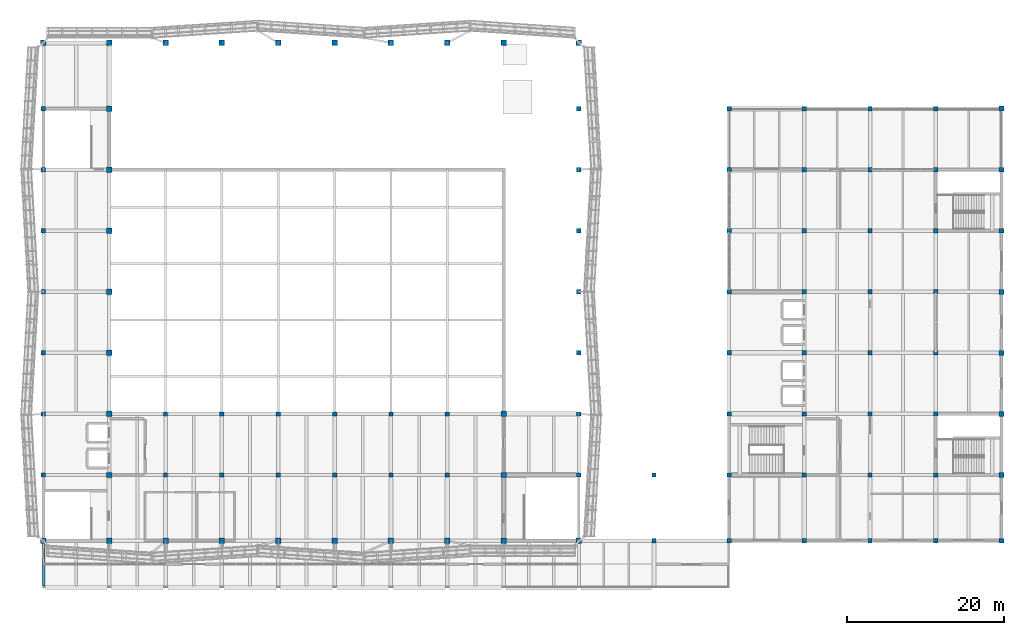
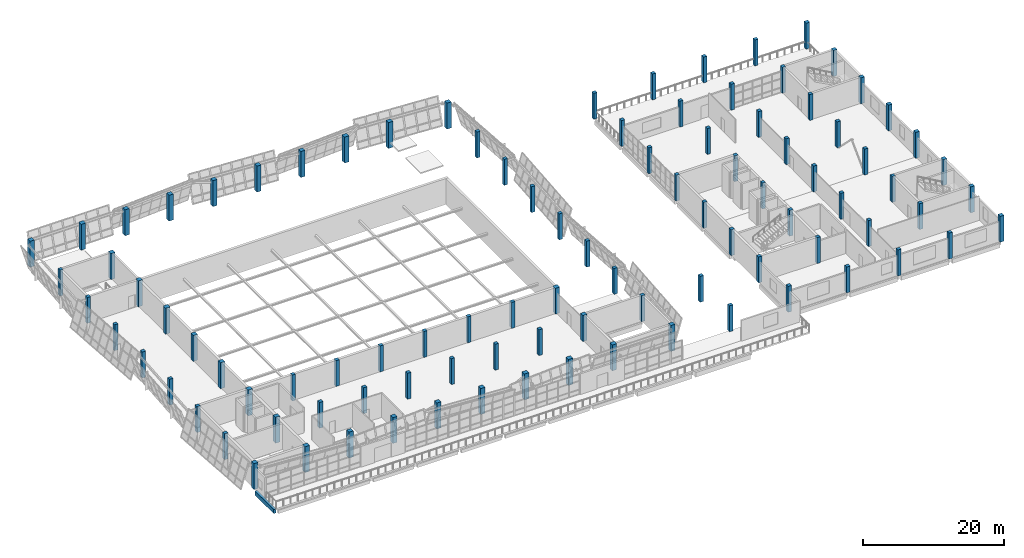
# One storey, part 1 of 67: 97 columns, 1 beam.
"""IFC4 building model written with IfcOpenShell, lengths in metres."""

import ifcopenshell
import ifcopenshell.guid

model = None  # the IFC model being written
_history = None  # IfcOwnerHistory: only IFC2X3 demands one
_inside = {}  # id of a spatial element -> (the spatial element, [elements in it])
_under = {}  # id of a project, library or spatial element -> (it, [spatial elements below it])
_declared = {}  # id of a project -> (the project, [libraries it declares])
_typed = {}  # id of a type object -> (the type object, [elements of that type])
_made_of = {}  # id of a material, layer set ... -> (it, [elements and type objects made of it])


def new_model(schema):
    """Start an empty IFC model of exactly this schema.

    Asked for "IFC4X3", IfcOpenShell would pick the latest addendum, in which some entities
    have other attributes; the version numbers below select the first issue.
    IFC2X3 requires an IfcOwnerHistory on every rooted entity: one is made here for all.
    """
    global model, _history
    if schema == "IFC4X3":
        model = ifcopenshell.file(schema_version=(4, 3, 0, 0))
    else:
        model = ifcopenshell.file(schema=schema)
    _inside.clear()
    _under.clear()
    _declared.clear()
    _typed.clear()
    _made_of.clear()
    _history = None
    if model.schema == "IFC2X3":
        org = make("IfcOrganization", Name="unknown")
        user = make(
            "IfcPersonAndOrganization",
            ThePerson=make("IfcPerson", FamilyName="unknown"),
            TheOrganization=org,
        )
        app = make(
            "IfcApplication",
            ApplicationDeveloper=org,
            Version="unknown",
            ApplicationFullName="unknown",
            ApplicationIdentifier="unknown",
        )
        _history = make(
            "IfcOwnerHistory",
            OwningUser=user,
            OwningApplication=app,
            ChangeAction="ADDED",
            CreationDate=0,
        )
    return model


def make(cls, **values):
    """One entity of the class cls with the attributes given. An attribute that is None is left unset."""
    return model.create_entity(
        cls, **{name: value for name, value in values.items() if value is not None}
    )


def rooted(cls, **values):
    """An entity with a GlobalId (a new one), such as an element, a storey or a relation."""
    return make(cls, GlobalId=ifcopenshell.guid.new(), OwnerHistory=_history, **values)


def si_unit(unit_type, name, prefix=None):
    """IfcSIUnit, for example si_unit("LENGTHUNIT", "METRE", prefix="MILLI")."""
    return make("IfcSIUnit", UnitType=unit_type, Prefix=prefix, Name=name)


def assignment(units):
    """IfcUnitAssignment: the units of a project."""
    return None if units is None else make("IfcUnitAssignment", Units=units)


def point(xyz):
    """IfcCartesianPoint."""
    return None if xyz is None else make("IfcCartesianPoint", Coordinates=xyz)


def direction(xyz):
    """IfcDirection."""
    return None if xyz is None else make("IfcDirection", DirectionRatios=xyz)


def frame(location, z_axis=None, x_axis=None):
    """IfcAxis2Placement3D, a coordinate frame: its origin and axes. An axis left out is left unset."""
    return make(
        "IfcAxis2Placement3D",
        Location=point(location),
        Axis=direction(z_axis),
        RefDirection=direction(x_axis),
    )


def frame_2d(location, x_axis=None):
    """IfcAxis2Placement2D, a coordinate frame in the plane: its origin and x axis."""
    return make(
        "IfcAxis2Placement2D", Location=point(location), RefDirection=direction(x_axis)
    )


def origin():
    """The frame at (0, 0, 0) with its axes left unset."""
    return frame((0.0, 0.0, 0.0))


def origin_2d():
    """The frame at (0, 0) in the plane with its x axis left unset."""
    return frame_2d((0.0, 0.0))


def place(relative_to, where):
    """IfcLocalPlacement: puts the frame where relative to a parent placement (None: the world)."""
    return make(
        "IfcLocalPlacement", PlacementRelTo=relative_to, RelativePlacement=where
    )


def context(
    kind, dimensions, precision=None, world=None, true_north=None, identifier=None
):
    """IfcGeometricRepresentationContext, for example the 3D "Model" context."""
    return make(
        "IfcGeometricRepresentationContext",
        ContextIdentifier=identifier,
        ContextType=kind,
        CoordinateSpaceDimension=dimensions,
        Precision=precision,
        WorldCoordinateSystem=world,
        TrueNorth=true_north,
    )


def subcontext(parent, identifier, kind, view, scale=None):
    """IfcGeometricRepresentationSubContext, for example "Body" below "Model"."""
    return make(
        "IfcGeometricRepresentationSubContext",
        ContextIdentifier=identifier,
        ContextType=kind,
        ParentContext=parent,
        TargetScale=scale,
        TargetView=view,
    )


def project(units=None, contexts=None):
    """IfcProject with its units and contexts."""
    return rooted(
        "IfcProject",
        Name="project",
        RepresentationContexts=contexts,
        UnitsInContext=assignment(units),
    )


def spatial(cls, under=None, at=None, **own):
    """A site, building, storey or space (cls), placed at a placement, below another one or the project."""
    s = rooted(cls, ObjectPlacement=at, **own)
    if under is not None:
        _under.setdefault(under.id(), (under, []))[1].append(s)
    return s


def profile(cls, at=None, kind="AREA", **sizes):
    """A parametric profile (cls). Its sizes go by their IFC names, for example OverallWidth=200.0."""
    return make(cls, ProfileType=kind, Position=at, **sizes)


def rectangle(**sizes):
    """IfcRectangleProfileDef."""
    return profile("IfcRectangleProfileDef", **sizes)


def extrude(swept, where, along, depth):
    """IfcExtrudedAreaSolid: the profile swept, set in the frame where, extruded along a direction by depth."""
    return make(
        "IfcExtrudedAreaSolid",
        SweptArea=swept,
        Position=where,
        ExtrudedDirection=direction(along),
        Depth=depth,
    )


def shape(context_of_items, identifier, shape_type, items):
    """IfcShapeRepresentation: the items that make up one representation, for example the "Body"."""
    return make(
        "IfcShapeRepresentation",
        ContextOfItems=context_of_items,
        RepresentationIdentifier=identifier,
        RepresentationType=shape_type,
        Items=items,
    )


def material(Name=None, Category=None):
    """IfcMaterial."""
    return make("IfcMaterial", Name=Name, Category=Category)


def material_profile(
    of_material, cross_section, Name=None, Category=None, Priority=None
):
    """IfcMaterialProfile: a cross section and its material."""
    return make(
        "IfcMaterialProfile",
        Name=Name,
        Material=of_material,
        Profile=cross_section,
        Priority=Priority,
        Category=Category,
    )


def profile_set(profiles, Name=None, composite=None):
    """IfcMaterialProfileSet."""
    return make(
        "IfcMaterialProfileSet",
        Name=Name,
        MaterialProfiles=profiles,
        CompositeProfile=composite,
    )


def made_of(thing, what):
    """Note that an element or type object is made of a material, layer set ...; save() writes the relation."""
    if what is not None:
        _made_of.setdefault(what.id(), (what, []))[1].append(thing)
    return thing


def type_object(cls, material=None, **own):
    """A type object (cls), such as IfcWallType, which elements share."""
    return made_of(rooted(cls, **own), material)


def element(
    cls,
    number,
    at=None,
    inside=None,
    cuts=None,
    type_object=None,
    material=None,
    context=None,
    identifier="Body",
    shape_type=None,
    held_by="IfcProductDefinitionShape",
    body=None,
    shapes=None,
    **own,
):
    """One element of the class cls, such as IfcWall. Its Tag is "e" and its number.

    at: its placement. inside: the storey or other place that contains it. cuts: it is an
    opening in that element (IfcRelVoidsElement). A single representation is given by context,
    identifier, shape_type and body (its items); several are given by shapes. held_by: the class
    of the entity that holds the representations. save() writes the other relations.
    """
    e = rooted(cls, Tag="e%d" % number, ObjectPlacement=at, **own)
    if body is not None:
        shapes = [shape(context, identifier, shape_type, body)]
    if shapes is not None:
        e.Representation = make(held_by, Representations=shapes)
    if inside is not None:
        _inside.setdefault(inside.id(), (inside, []))[1].append(e)
    if cuts is not None:
        rooted(
            "IfcRelVoidsElement", RelatingBuildingElement=cuts, RelatedOpeningElement=e
        )
    if type_object is not None:
        _typed.setdefault(type_object.id(), (type_object, []))[1].append(e)
    return made_of(e, material)


def aggregate(whole, parts):
    """IfcRelAggregates: a whole, such as a stair, and the parts it consists of."""
    return rooted("IfcRelAggregates", RelatingObject=whole, RelatedObjects=parts)


def save(model, path):
    """Write the relations noted so far, then the file.

    IfcRelAggregates (storeys below a building ...), IfcRelContainedInSpatialStructure (elements
    in a storey), IfcRelDefinesByType, IfcRelAssociatesMaterial and IfcRelDeclares: one each for
    every whole, place, type object, material and project.
    """
    for whole, parts in _under.values():
        aggregate(whole, parts)
    for where, things in _inside.values():
        rooted(
            "IfcRelContainedInSpatialStructure",
            RelatedElements=things,
            RelatingStructure=where,
        )
    for kind, things in _typed.values():
        rooted("IfcRelDefinesByType", RelatedObjects=things, RelatingType=kind)
    for what, things in _made_of.values():
        rooted("IfcRelAssociatesMaterial", RelatedObjects=things, RelatingMaterial=what)
    for by, libraries in _declared.values():
        rooted("IfcRelDeclares", RelatingContext=by, RelatedDefinitions=libraries)
    model.write(path)


model = new_model("IFC4")

# Units and contexts
model_context = context("Model", 3, precision=1e-05, world=origin(), true_north=direction((0.0, 1.0)))
body_context = subcontext(model_context, "Body", "Model", "MODEL_VIEW")
ifc_project = project(units=[si_unit("LENGTHUNIT", "METRE"), si_unit("AREAUNIT", "SQUARE_METRE"), si_unit("VOLUMEUNIT", "CUBIC_METRE"), si_unit("PLANEANGLEUNIT", "RADIAN"), si_unit("MASSUNIT", "GRAM", prefix="KILO")], contexts=[model_context])

# Site, building, storey
site_placement = place(None, origin())
site = spatial("IfcSite", under=ifc_project, at=site_placement, CompositionType="ELEMENT")
building_placement = place(site_placement, origin())
building = spatial("IfcBuilding", under=site, at=building_placement, Name="Pellamere Symphony Hall", CompositionType="ELEMENT")
storey_placement = place(building_placement, frame((0.0, 0.0, 19.5)))
storey = spatial("IfcBuildingStorey", under=building, at=storey_placement, Name="L04", CompositionType="ELEMENT", Elevation=19.5)

# Columns
ifc_material_1 = material(Name="Concrete 40 MPa", Category="concrete")
ifc_material_profile_1 = material_profile(ifc_material_1, rectangle(XDim=0.699951171875, YDim=0.699951171875, at=origin_2d()), Name="RC 700x700")
ifc_profile_set_1 = profile_set([ifc_material_profile_1], Name="Concrete 40 MPa")
column_type_1 = type_object("IfcColumnType", Name="RC Column CC-06 700x700", PredefinedType="COLUMN", material=ifc_profile_set_1)
for number, where, z_axis, x_axis, name in (
    (1, (50.39990234375, 30.0, 0.0), (0.0, 0.0, 1.0), (1.0, 0.0, 0.0), "Column C-7E (L04)"),
    (2, (50.39990234375, 93.60009765625, 0.0), (0.0, 0.0, 1.0), (1.0, 0.0, 0.0), "Column C-7M (L04)"),
    (3, (58.800048828125, 30.0, 0.0), (0.0, 0.0, 1.0), (1.0, 0.0, 0.0), "Column C-8E (L04)"),
    (4, (58.800048828125, 38.39990234375, 0.0), (0.0, 0.0, 1.0), (1.0, 0.0, 0.0), "Column C-8F (L04)"),
    (5, (58.800048828125, 46.199951171875, 0.0), (0.0, 0.0, 1.0), (1.0, 0.0, 0.0), "Column C-8G (L04)"),
    (6, (58.800048828125, 54.0, 0.0), (0.0, 0.0, 1.0), (1.0, 0.0, 0.0), "Column C-8H (L04)"),
    (7, (58.800048828125, 61.800048828125, 0.0), (0.0, 0.0, 1.0), (1.0, 0.0, 0.0), "Column C-8I (L04)"),
    (8, (58.800048828125, 69.60009765625, 0.0), (0.0, 0.0, 1.0), (1.0, 0.0, 0.0), "Column C-8J (L04)"),
    (9, (58.800048828125, 77.39990234375, 0.0), (0.0, 0.0, 1.0), (1.0, 0.0, 0.0), "Column C-8K (L04)"),
    (10, (58.800048828125, 85.199951171875, 0.0), (0.0, 0.0, 1.0), (1.0, 0.0, 0.0), "Column C-8L (L04)"),
    (11, (58.800048828125, 93.60009765625, 0.0), (0.0, 0.0, 1.0), (1.0, 0.0, 0.0), "Column C-8M (L04)"),
    (12, (66.0, 30.0, 0.0), (0.0, 0.0, 1.0), (1.0, 0.0, 0.0), "Column C-9E (L04)"),
    (13, (66.0, 93.60009765625, 0.0), (0.0, 0.0, 1.0), (1.0, 0.0, 0.0), "Column C-9M (L04)"),
    (14, (73.199951171875, 30.0, 0.0), (0.0, 0.0, 1.0), (1.0, 0.0, 0.0), "Column C-10E (L04)"),
    (15, (73.199951171875, 93.60009765625, 0.0), (0.0, 0.0, 1.0), (1.0, 0.0, 0.0), "Column C-10M (L04)"),
    (16, (80.39990234375, 30.0, 0.0), (0.0, 0.0, 1.0), (1.0, 0.0, 0.0), "Column C-11E (L04)"),
    (17, (80.39990234375, 93.60009765625, 0.0), (0.0, 0.0, 1.0), (1.0, 0.0, 0.0), "Column C-11M (L04)"),
    (18, (87.60009765625, 30.0, 0.0), (0.0, 0.0, 1.0), (1.0, 0.0, 0.0), "Column C-12E (L04)"),
    (19, (87.60009765625, 93.60009765625, 0.0), (0.0, 0.0, 1.0), (1.0, 0.0, 0.0), "Column C-12M (L04)"),
    (20, (94.800048828125, 30.0, 0.0), (0.0, 0.0, 1.0), (1.0, 0.0, 0.0), "Column C-13E (L04)"),
    (21, (94.800048828125, 93.60009765625, 0.0), (0.0, 0.0, 1.0), (1.0, 0.0, 0.0), "Column C-13M (L04)"),
    (22, (102.0, 30.0, 0.0), (0.0, 0.0, 1.0), (1.0, 0.0, 0.0), "Column C-14E (L04)"),
    (23, (102.0, 93.60009765625, 0.0), (0.0, 0.0, 1.0), (1.0, 0.0, 0.0), "Column C-14M (L04)"),
    (24, (109.199951171875, 30.0, 0.0), (0.0, 0.0, 1.0), (1.0, 0.0, 0.0), "Column C-15E (L04)"),
    (25, (109.199951171875, 38.39990234375, 0.0), (0.0, 0.0, 1.0), (1.0, 0.0, 0.0), "Column C-15F (L04)"),
    (26, (109.199951171875, 46.199951171875, 0.0), (0.0, 0.0, 1.0), (1.0, 0.0, 0.0), "Column C-15G (L04)"),
    (27, (109.199951171875, 93.60009765625, 0.0), (0.0, 0.0, 1.0), (1.0, 0.0, 0.0), "Column C-15M (L04)"),
    (28, (118.800048828125, 30.0, 0.0), (0.0, 0.0, 1.0), (1.0, 0.0, 0.0), "Column C-16E (L04)"),
    (29, (118.800048828125, 93.60009765625, 0.0), (0.0, 0.0, 1.0), (1.0, 0.0, 0.0), "Column C-16M (L04)"),
):
    element("IfcColumn", number, at=place(storey_placement, frame(where, z_axis=z_axis, x_axis=x_axis)), inside=storey, type_object=column_type_1, Name=name, PredefinedType="COLUMN", context=body_context, shape_type="SweptSolid", body=[
        extrude(rectangle(XDim=0.699951171875, YDim=0.699951171875, at=origin_2d()), origin(), (0.0, 0.0, 1.0), 4.5),
    ])
ifc_material_2 = material(Name="Concrete 35 MPa", Category="concrete")
ifc_material_profile_2 = material_profile(ifc_material_2, rectangle(XDim=0.550048828125, YDim=0.550048828125, at=origin_2d()), Name="RC 550x550")
ifc_profile_set_2 = profile_set([ifc_material_profile_2], Name="Concrete 35 MPa")
column_type_2 = type_object("IfcColumnType", Name="RC Column CC-09 550x550", PredefinedType="COLUMN", material=ifc_profile_set_2)
for number, where, z_axis, x_axis, name in (
    (30, (50.39990234375, 38.39990234375, 0.0), (0.0, 0.0, 1.0), (1.0, 0.0, 0.0), "Column C-7F (L04)"),
    (31, (50.39990234375, 46.199951171875, 0.0), (0.0, 0.0, 1.0), (1.0, 0.0, 0.0), "Column C-7G (L04)"),
    (32, (50.39990234375, 54.0, 0.0), (0.0, 0.0, 1.0), (1.0, 0.0, 0.0), "Column C-7H (L04)"),
    (33, (50.39990234375, 61.800048828125, 0.0), (0.0, 0.0, 1.0), (1.0, 0.0, 0.0), "Column C-7I (L04)"),
    (34, (50.39990234375, 69.60009765625, 0.0), (0.0, 0.0, 1.0), (1.0, 0.0, 0.0), "Column C-7J (L04)"),
    (35, (50.39990234375, 77.39990234375, 0.0), (0.0, 0.0, 1.0), (1.0, 0.0, 0.0), "Column C-7K (L04)"),
    (36, (50.39990234375, 85.199951171875, 0.0), (0.0, 0.0, 1.0), (1.0, 0.0, 0.0), "Column C-7L (L04)"),
    (37, (66.0, 38.39990234375, 0.0), (0.0, 0.0, 1.0), (1.0, 0.0, 0.0), "Column C-9F (L04)"),
    (38, (66.0, 46.199951171875, 0.0), (0.0, 0.0, 1.0), (1.0, 0.0, 0.0), "Column C-9G (L04)"),
    (39, (73.199951171875, 38.39990234375, 0.0), (0.0, 0.0, 1.0), (1.0, 0.0, 0.0), "Column C-10F (L04)"),
    (40, (73.199951171875, 46.199951171875, 0.0), (0.0, 0.0, 1.0), (1.0, 0.0, 0.0), "Column C-10G (L04)"),
    (41, (80.39990234375, 38.39990234375, 0.0), (0.0, 0.0, 1.0), (1.0, 0.0, 0.0), "Column C-11F (L04)"),
    (42, (80.39990234375, 46.199951171875, 0.0), (0.0, 0.0, 1.0), (1.0, 0.0, 0.0), "Column C-11G (L04)"),
    (43, (87.60009765625, 38.39990234375, 0.0), (0.0, 0.0, 1.0), (1.0, 0.0, 0.0), "Column C-12F (L04)"),
    (44, (87.60009765625, 46.199951171875, 0.0), (0.0, 0.0, 1.0), (1.0, 0.0, 0.0), "Column C-12G (L04)"),
    (45, (94.800048828125, 38.39990234375, 0.0), (0.0, 0.0, 1.0), (1.0, 0.0, 0.0), "Column C-13F (L04)"),
    (46, (94.800048828125, 46.199951171875, 0.0), (0.0, 0.0, 1.0), (1.0, 0.0, 0.0), "Column C-13G (L04)"),
    (47, (102.0, 38.39990234375, 0.0), (0.0, 0.0, 1.0), (1.0, 0.0, 0.0), "Column C-14F (L04)"),
    (48, (102.0, 46.199951171875, 0.0), (0.0, 0.0, 1.0), (1.0, 0.0, 0.0), "Column C-14G (L04)"),
    (49, (118.800048828125, 38.39990234375, 0.0), (0.0, 0.0, 1.0), (1.0, 0.0, 0.0), "Column C-16F (L04)"),
    (50, (118.800048828125, 46.199951171875, 0.0), (0.0, 0.0, 1.0), (1.0, 0.0, 0.0), "Column C-16G (L04)"),
    (51, (118.800048828125, 54.0, 0.0), (0.0, 0.0, 1.0), (1.0, 0.0, 0.0), "Column C-16H (L04)"),
    (52, (118.800048828125, 61.800048828125, 0.0), (0.0, 0.0, 1.0), (1.0, 0.0, 0.0), "Column C-16I (L04)"),
    (53, (118.800048828125, 69.60009765625, 0.0), (0.0, 0.0, 1.0), (1.0, 0.0, 0.0), "Column C-16J (L04)"),
    (54, (118.800048828125, 77.39990234375, 0.0), (0.0, 0.0, 1.0), (1.0, 0.0, 0.0), "Column C-16K (L04)"),
    (55, (118.800048828125, 85.199951171875, 0.0), (0.0, 0.0, 1.0), (1.0, 0.0, 0.0), "Column C-16L (L04)"),
    (56, (128.39990234375, 30.0, 0.0), (0.0, 0.0, 1.0), (1.0, 0.0, 0.0), "Column C-17E (L04)"),
    (57, (128.39990234375, 38.39990234375, 0.0), (0.0, 0.0, 1.0), (1.0, 0.0, 0.0), "Column C-17F (L04)"),
    (58, (138.0, 30.0, 0.0), (0.0, 0.0, 1.0), (1.0, 0.0, 0.0), "Column C-18E (L04)"),
    (59, (138.0, 38.39990234375, 0.0), (0.0, 0.0, 1.0), (1.0, 0.0, 0.0), "Column C-18F (L04)"),
    (60, (138.0, 46.199951171875, 0.0), (0.0, 0.0, 1.0), (1.0, 0.0, 0.0), "Column C-18G (L04)"),
    (61, (138.0, 54.0, 0.0), (0.0, 0.0, 1.0), (1.0, 0.0, 0.0), "Column C-18H (L04)"),
    (62, (138.0, 61.800048828125, 0.0), (0.0, 0.0, 1.0), (1.0, 0.0, 0.0), "Column C-18I (L04)"),
    (63, (138.0, 69.60009765625, 0.0), (0.0, 0.0, 1.0), (1.0, 0.0, 0.0), "Column C-18J (L04)"),
    (64, (138.0, 77.39990234375, 0.0), (0.0, 0.0, 1.0), (1.0, 0.0, 0.0), "Column C-18K (L04)"),
    (65, (138.0, 85.199951171875, 0.0), (0.0, 0.0, 1.0), (1.0, 0.0, 0.0), "Column C-18L (L04)"),
    (66, (147.60009765625, 30.0, 0.0), (0.0, 0.0, 1.0), (1.0, 0.0, 0.0), "Column C-19E (L04)"),
    (67, (147.60009765625, 38.39990234375, 0.0), (0.0, 0.0, 1.0), (1.0, 0.0, 0.0), "Column C-19F (L04)"),
    (68, (147.60009765625, 46.199951171875, 0.0), (0.0, 0.0, 1.0), (1.0, 0.0, 0.0), "Column C-19G (L04)"),
    (69, (147.60009765625, 54.0, 0.0), (0.0, 0.0, 1.0), (1.0, 0.0, 0.0), "Column C-19H (L04)"),
    (70, (147.60009765625, 61.800048828125, 0.0), (0.0, 0.0, 1.0), (1.0, 0.0, 0.0), "Column C-19I (L04)"),
    (71, (147.60009765625, 69.60009765625, 0.0), (0.0, 0.0, 1.0), (1.0, 0.0, 0.0), "Column C-19J (L04)"),
    (72, (147.60009765625, 77.39990234375, 0.0), (0.0, 0.0, 1.0), (1.0, 0.0, 0.0), "Column C-19K (L04)"),
    (73, (147.60009765625, 85.199951171875, 0.0), (0.0, 0.0, 1.0), (1.0, 0.0, 0.0), "Column C-19L (L04)"),
    (74, (156.0, 30.0, 0.0), (0.0, 0.0, 1.0), (1.0, 0.0, 0.0), "Column C-20E (L04)"),
    (75, (156.0, 38.39990234375, 0.0), (0.0, 0.0, 1.0), (1.0, 0.0, 0.0), "Column C-20F (L04)"),
    (76, (156.0, 46.199951171875, 0.0), (0.0, 0.0, 1.0), (1.0, 0.0, 0.0), "Column C-20G (L04)"),
    (77, (156.0, 54.0, 0.0), (0.0, 0.0, 1.0), (1.0, 0.0, 0.0), "Column C-20H (L04)"),
    (78, (156.0, 61.800048828125, 0.0), (0.0, 0.0, 1.0), (1.0, 0.0, 0.0), "Column C-20I (L04)"),
    (79, (156.0, 69.60009765625, 0.0), (0.0, 0.0, 1.0), (1.0, 0.0, 0.0), "Column C-20J (L04)"),
    (80, (156.0, 77.39990234375, 0.0), (0.0, 0.0, 1.0), (1.0, 0.0, 0.0), "Column C-20K (L04)"),
    (81, (156.0, 85.199951171875, 0.0), (0.0, 0.0, 1.0), (1.0, 0.0, 0.0), "Column C-20L (L04)"),
    (82, (164.39990234375, 30.0, 0.0), (0.0, 0.0, 1.0), (1.0, 0.0, 0.0), "Column C-21E (L04)"),
    (83, (164.39990234375, 38.39990234375, 0.0), (0.0, 0.0, 1.0), (1.0, 0.0, 0.0), "Column C-21F (L04)"),
    (84, (164.39990234375, 46.199951171875, 0.0), (0.0, 0.0, 1.0), (1.0, 0.0, 0.0), "Column C-21G (L04)"),
    (85, (164.39990234375, 54.0, 0.0), (0.0, 0.0, 1.0), (1.0, 0.0, 0.0), "Column C-21H (L04)"),
    (86, (164.39990234375, 61.800048828125, 0.0), (0.0, 0.0, 1.0), (1.0, 0.0, 0.0), "Column C-21I (L04)"),
    (87, (164.39990234375, 69.60009765625, 0.0), (0.0, 0.0, 1.0), (1.0, 0.0, 0.0), "Column C-21J (L04)"),
    (88, (164.39990234375, 77.39990234375, 0.0), (0.0, 0.0, 1.0), (1.0, 0.0, 0.0), "Column C-21K (L04)"),
    (89, (164.39990234375, 85.199951171875, 0.0), (0.0, 0.0, 1.0), (1.0, 0.0, 0.0), "Column C-21L (L04)"),
):
    element("IfcColumn", number, at=place(storey_placement, frame(where, z_axis=z_axis, x_axis=x_axis)), inside=storey, type_object=column_type_2, Name=name, PredefinedType="COLUMN", context=body_context, shape_type="SweptSolid", body=[
        extrude(rectangle(XDim=0.550048828125, YDim=0.550048828125, at=origin_2d()), origin(), (0.0, 0.0, 1.0), 4.5),
    ])
ifc_material_profile_3 = material_profile(ifc_material_2, rectangle(XDim=0.6201171875, YDim=0.6201171875, at=origin_2d()), Name="RC 620x620")
ifc_profile_set_3 = profile_set([ifc_material_profile_3], Name="Concrete 35 MPa")
column_type_3 = type_object("IfcColumnType", Name="RC Column CCP-06 620x620", PredefinedType="COLUMN", material=ifc_profile_set_3)
for number, where, z_axis, x_axis, name in (
    (90, (172.800048828125, 30.0, 0.0), (0.0, 0.0, 1.0), (1.0, 0.0, 0.0), "Column C-22E (L04)"),
    (91, (172.800048828125, 38.39990234375, 0.0), (0.0, 0.0, 1.0), (1.0, 0.0, 0.0), "Column C-22F (L04)"),
    (92, (172.800048828125, 46.199951171875, 0.0), (0.0, 0.0, 1.0), (1.0, 0.0, 0.0), "Column C-22G (L04)"),
    (93, (172.800048828125, 54.0, 0.0), (0.0, 0.0, 1.0), (1.0, 0.0, 0.0), "Column C-22H (L04)"),
    (94, (172.800048828125, 61.800048828125, 0.0), (0.0, 0.0, 1.0), (1.0, 0.0, 0.0), "Column C-22I (L04)"),
    (95, (172.800048828125, 69.60009765625, 0.0), (0.0, 0.0, 1.0), (1.0, 0.0, 0.0), "Column C-22J (L04)"),
    (96, (172.800048828125, 77.39990234375, 0.0), (0.0, 0.0, 1.0), (1.0, 0.0, 0.0), "Column C-22K (L04)"),
    (97, (172.800048828125, 85.199951171875, 0.0), (0.0, 0.0, 1.0), (1.0, 0.0, 0.0), "Column C-22L (L04)"),
):
    element("IfcColumn", number, at=place(storey_placement, frame(where, z_axis=z_axis, x_axis=x_axis)), inside=storey, type_object=column_type_3, Name=name, PredefinedType="COLUMN", context=body_context, shape_type="SweptSolid", body=[
        extrude(rectangle(XDim=0.6201171875, YDim=0.6201171875, at=origin_2d()), origin(), (0.0, 0.0, 1.0), 4.5),
    ])

# Beam
ifc_material_profile_4 = material_profile(ifc_material_1, rectangle(XDim=0.39990234375, YDim=0.699951171875, at=origin_2d()), Name="RC 400x700")
ifc_profile_set_4 = profile_set([ifc_material_profile_4], Name="Concrete 40 MPa")
beam_type = type_object("IfcBeamType", Name="RC CB-13 400x700", PredefinedType="SPANDREL", material=ifc_profile_set_4)
beam_placement = place(storey_placement, frame((50.39990234375, 24.300048828125, -0.610107421875), z_axis=(0.0, 1.0, 0.0), x_axis=(-1.0, 0.0, 0.0)))
element("IfcBeam", 98, at=beam_placement, inside=storey, type_object=beam_type, Name="Girder CB-13-Y1870 (L04)", PredefinedType="SPANDREL", context=body_context, shape_type="SweptSolid", body=[
    extrude(rectangle(XDim=0.39990234375, YDim=0.699951171875, at=origin_2d()), origin(), (0.0, 0.0, 1.0), 5.324951171875),
])

save(model, "model.ifc")
